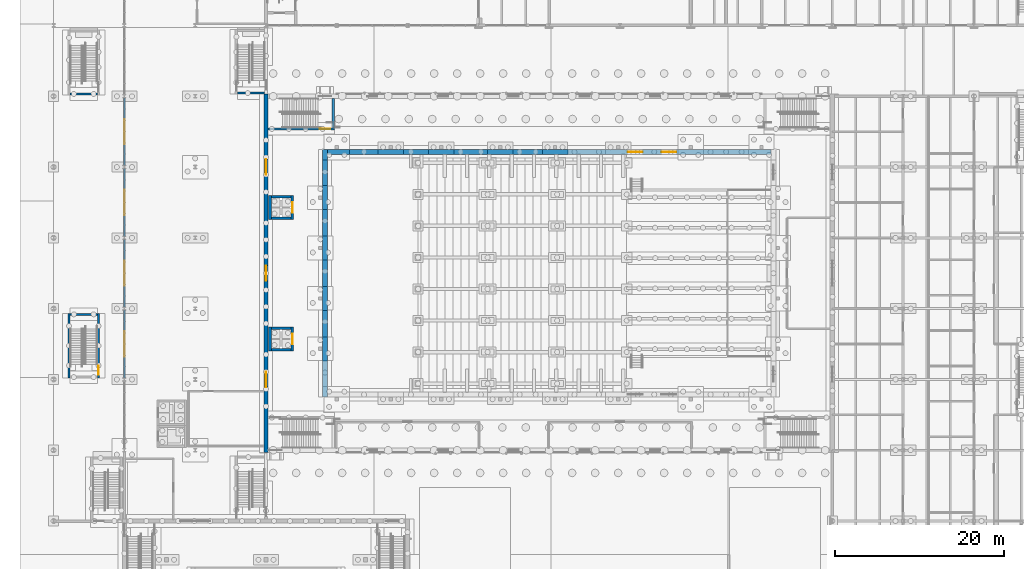
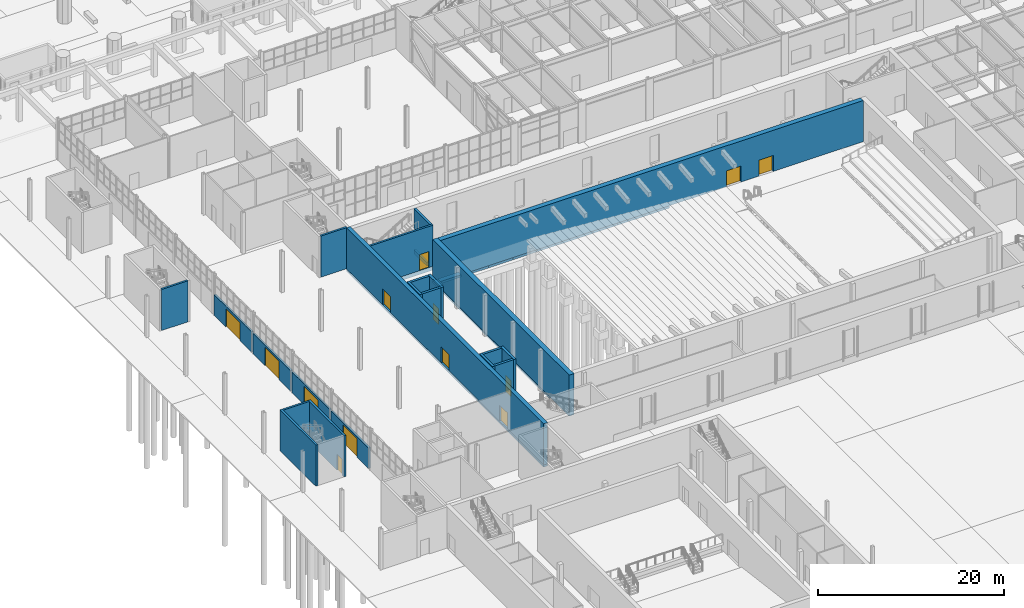
# One storey, part 64 of 127: 43 walls, 13 doors, 13 openings.
"""IFC4 building model written with IfcOpenShell, lengths in metres."""

from ifc_helpers import new_model, si_unit, direction, frame, frame_2d, origin, place, context, subcontext, project, spatial, rectangle, extrude, material, layer, layer_set, type_object, element, fill, save


model = new_model("IFC4")

# Units and contexts
model_context = context("Model", 3, precision=1e-05, world=origin(), true_north=direction((0.0, 1.0)))
body_context = subcontext(model_context, "Body", "Model", "MODEL_VIEW")
ifc_project = project(units=[si_unit("LENGTHUNIT", "METRE"), si_unit("AREAUNIT", "SQUARE_METRE"), si_unit("VOLUMEUNIT", "CUBIC_METRE"), si_unit("PLANEANGLEUNIT", "RADIAN"), si_unit("MASSUNIT", "GRAM", prefix="KILO")], contexts=[model_context])

# Site, building, storey
site_placement = place(None, origin())
site = spatial("IfcSite", under=ifc_project, at=site_placement, CompositionType="ELEMENT")
building_placement = place(site_placement, origin())
building = spatial("IfcBuilding", under=site, at=building_placement, Name="Ljudholm Concert House", CompositionType="ELEMENT")
storey_placement = place(building_placement, origin())
storey = spatial("IfcBuildingStorey", under=building, at=storey_placement, Name="L00", CompositionType="ELEMENT", Elevation=0.0)

# Walls
ifc_material_1 = material(Name="Concrete 6,500 psi", Category="concrete")
ifc_layer_1 = layer(ifc_material_1, 0.25)
ifc_layer_set_1 = layer_set([ifc_layer_1], Name="Concrete 6,500 psi")
wall_type_1 = type_object("IfcWallType", Name="RC CORE WALL 250", PredefinedType="SHEAR", material=ifc_layer_set_1)
wall_1_placement = place(storey_placement, frame((25.800048828125, 96.77490234375, 0.0), z_axis=(0.0, 0.0, 1.0), x_axis=(1.0, 0.0, 0.0)))
element("IfcWall", 1, at=wall_1_placement, inside=storey, type_object=wall_type_1, Name="Stair enclosure wall", PredefinedType="SHEAR", context=body_context, shape_type="SweptSolid", body=[
    extrude(rectangle(XDim=3.25, YDim=0.25, at=frame_2d((1.625, 0.0))), origin(), (0.0, 0.0, 1.0), 5.39990234375),
])
wall_2_placement = place(storey_placement, frame((5.824951171875, 62.949951171875, 0.0), z_axis=(0.0, 0.0, 1.0), x_axis=(0.0, 1.0, 0.0)))
element("IfcWall", 2, at=wall_2_placement, inside=storey, type_object=wall_type_1, Name="Stair enclosure wall", PredefinedType="SHEAR", context=body_context, shape_type="SweptSolid", body=[
    extrude(rectangle(XDim=7.699951171875, YDim=0.25, at=frame_2d((3.85009765625, 0.0))), origin(), (0.0, 0.0, 1.0), 5.39990234375),
])

# Wall, opening, door
wall_3_placement = place(storey_placement, frame((9.324951171875, 62.949951171875, 0.0), z_axis=(0.0, 0.0, 1.0), x_axis=(0.0, 1.0, 0.0)))
wall_3 = element("IfcWall", 3, at=wall_3_placement, inside=storey, type_object=wall_type_1, Name="Stair enclosure wall", PredefinedType="SHEAR", context=body_context, shape_type="SweptSolid", body=[
    extrude(rectangle(XDim=7.699951171875, YDim=0.25, at=frame_2d((3.85009765625, 0.0))), origin(), (0.0, 0.0, 1.0), 5.39990234375),
])
opening_1_placement = place(wall_3_placement, frame((0.39990234375, 0.0, 0.0)))
opening_1 = element("IfcOpeningElement", 4, at=opening_1_placement, cuts=wall_3, Name="Opening D-S00-018", PredefinedType="OPENING", context=body_context, shape_type="SweptSolid", body=[
    extrude(rectangle(XDim=1.10009765625, YDim=2.10009765625, at=frame_2d((0.550048828125, 1.050048828125))), frame((0.0, 0.135009765625, 0.0), z_axis=(0.0, -1.0, 0.0), x_axis=(1.0, 0.0, 0.0)), (0.0, 0.0, 1.0), 0.27001953125),
])
ifc_material_2 = material(Name="Hollow metal door in steel frame", Category="steel")
door_type_1 = type_object("IfcDoorType", Name="SWING DOOR 1100x2100 EXTERNAL", OperationType="SINGLE_SWING_LEFT", PredefinedType="DOOR", material=ifc_material_2)
door_1_placement = place(opening_1_placement, frame((1.10009765625, 0.0, 0.0), z_axis=(0.0, 0.0, 1.0), x_axis=(-1.0, 0.0, 0.0)))
door_1 = element("IfcDoor", 5, at=door_1_placement, inside=storey, type_object=door_type_1, Name="Stair exit door", OperationType="SINGLE_SWING_RIGHT", OverallHeight=2.10009765625, OverallWidth=1.10009765625, PredefinedType="DOOR", context=body_context, shape_type="SweptSolid", body=[
    extrude(rectangle(XDim=1.10009765625, YDim=2.10009765625, at=frame_2d((0.550048828125, 1.050048828125))), frame((0.0, 0.02490234375, 0.0), z_axis=(0.0, -1.0, 0.0), x_axis=(1.0, 0.0, 0.0)), (0.0, 0.0, 1.0), 0.050048828125),
])
fill(opening_1, door_1)

# Walls
for number, where, z_axis, x_axis, name in (
    (6, (5.949951171875, 70.52490234375, 0.0), (0.0, 0.0, 1.0), (1.0, 0.0, 0.0), "Stair enclosure wall"),
    (7, (5.949951171875, 96.675048828125, 0.0), (0.0, 0.0, 1.0), (1.0, 0.0, 0.0), "Stair enclosure wall"),
):
    element("IfcWall", number, at=place(storey_placement, frame(where, z_axis=z_axis, x_axis=x_axis)), inside=storey, type_object=wall_type_1, Name=name, PredefinedType="SHEAR", context=body_context, shape_type="SweptSolid", body=[
        extrude(rectangle(XDim=3.25, YDim=0.25, at=frame_2d((1.625, 0.0))), origin(), (0.0, 0.0, 1.0), 5.39990234375),
    ])

# Wall, opening, door
ifc_material_3 = material(Name="Concrete 6,500 psi", Category="concrete")
ifc_layer_2 = layer(ifc_material_3, 0.25)
ifc_layer_set_2 = layer_set([ifc_layer_2], Name="Concrete 6,500 psi")
wall_type_2 = type_object("IfcWallType", Name="RC WALL 250", PredefinedType="SOLIDWALL", material=ifc_layer_set_2)
wall_4_placement = place(storey_placement, frame((29.449951171875, 92.52490234375, 0.0), z_axis=(0.0, 0.0, 1.0), x_axis=(1.0, 0.0, 0.0)))
wall_4 = element("IfcWall", 8, at=wall_4_placement, inside=storey, type_object=wall_type_2, Name="Stair enclosure wall EH2", PredefinedType="SOLIDWALL", context=body_context, shape_type="SweptSolid", body=[
    extrude(rectangle(XDim=7.85009765625, YDim=0.25, at=frame_2d((3.925048828125, 0.0))), origin(), (0.0, 0.0, 1.0), 5.39990234375),
])
opening_2_placement = place(wall_4_placement, frame((6.14990234375, 0.0, 0.0)))
opening_2 = element("IfcOpeningElement", 9, at=opening_2_placement, cuts=wall_4, Name="Opening D-H00-008", PredefinedType="OPENING", context=body_context, shape_type="SweptSolid", body=[
    extrude(rectangle(XDim=1.199951171875, YDim=2.10009765625, at=frame_2d((0.60009765625, 1.050048828125))), frame((0.0, 0.135009765625, 0.0), z_axis=(0.0, -1.0, 0.0), x_axis=(1.0, 0.0, 0.0)), (0.0, 0.0, 1.0), 0.27001953125),
])
ifc_material_4 = material(Name="Hollow metal door in steel frame", Category="steel")
door_type_2 = type_object("IfcDoorType", Name="SWING DOOR 1200x2100", OperationType="SINGLE_SWING_LEFT", PredefinedType="DOOR", material=ifc_material_4)
door_2_placement = place(opening_2_placement, origin())
door_2 = element("IfcDoor", 10, at=door_2_placement, inside=storey, type_object=door_type_2, Name="Exit stair EH2 door", OperationType="SINGLE_SWING_RIGHT", OverallHeight=2.10009765625, OverallWidth=1.199951171875, PredefinedType="DOOR", context=body_context, shape_type="SweptSolid", body=[
    extrude(rectangle(XDim=1.199951171875, YDim=2.10009765625, at=frame_2d((0.60009765625, 1.050048828125))), frame((0.0, 0.02490234375, 0.0), z_axis=(0.0, -1.0, 0.0), x_axis=(1.0, 0.0, 0.0)), (0.0, 0.0, 1.0), 0.050048828125),
])
fill(opening_2, door_2)

# Walls
wall_5_placement = place(storey_placement, frame((37.175048828125, 92.64990234375, 0.0), z_axis=(0.0, 0.0, 1.0), x_axis=(0.0, 1.0, 0.0)))
element("IfcWall", 11, at=wall_5_placement, inside=storey, type_object=wall_type_2, Name="Stair enclosure wall EH2", PredefinedType="SOLIDWALL", context=body_context, shape_type="SweptSolid", body=[
    extrude(rectangle(XDim=3.5, YDim=0.25, at=frame_2d((1.75, 0.0))), origin(), (0.0, 0.0, 1.0), 5.39990234375),
])
wall_6_placement = place(storey_placement, frame((29.449951171875, 92.52490234375, -0.5), z_axis=(0.0, 0.0, 1.0), x_axis=(1.0, 0.0, 0.0)))
element("IfcWall", 12, at=wall_6_placement, inside=storey, type_object=wall_type_2, Name="Wall stem", PredefinedType="SOLIDWALL", context=body_context, shape_type="SweptSolid", body=[
    extrude(rectangle(XDim=7.830078125, YDim=0.25, at=frame_2d((3.9150390625, 0.0))), origin(), (0.0, 0.0, 1.0), 0.5),
])
wall_7_placement = place(storey_placement, frame((37.175048828125, 93.344970703125, -0.5), z_axis=(0.0, 0.0, 1.0), x_axis=(0.0, 1.0, 0.0)))
element("IfcWall", 13, at=wall_7_placement, inside=storey, type_object=wall_type_2, Name="Wall stem", PredefinedType="SOLIDWALL", context=body_context, shape_type="SweptSolid", body=[
    extrude(rectangle(XDim=2.804931640625, YDim=0.25, at=frame_2d((1.40234375, 0.0))), origin(), (0.0, 0.0, 1.0), 0.5),
])
ifc_material_5 = material(Name="Concrete 6,500 psi", Category="concrete")
ifc_layer_3 = layer(ifc_material_5, 0.300048828125)
ifc_layer_set_3 = layer_set([ifc_layer_3], Name="Concrete 6,500 psi")
wall_type_3 = type_object("IfcWallType", Name="RC WALL 300", PredefinedType="SOLIDWALL", material=ifc_layer_set_3)
wall_8_placement = place(storey_placement, frame((29.675048828125, 66.199951171875, 0.0), z_axis=(0.0, 0.0, 1.0), x_axis=(0.0, 1.0, 0.0)))
element("IfcWall", 14, at=wall_8_placement, inside=storey, type_object=wall_type_3, Name="Lift shaft wall", PredefinedType="SOLIDWALL", context=body_context, shape_type="SweptSolid", body=[
    extrude(rectangle(XDim=2.800048828125, YDim=0.300048828125, at=frame_2d((1.39990234375, 0.0))), origin(), (0.0, 0.0, 1.0), 5.39990234375),
])

# Wall, opening, door
wall_9_placement = place(storey_placement, frame((32.324951171875, 66.199951171875, 0.0), z_axis=(0.0, 0.0, 1.0), x_axis=(0.0, 1.0, 0.0)))
wall_9 = element("IfcWall", 15, at=wall_9_placement, inside=storey, type_object=wall_type_3, Name="Lift shaft wall", PredefinedType="SOLIDWALL", context=body_context, shape_type="SweptSolid", body=[
    extrude(rectangle(XDim=2.800048828125, YDim=0.300048828125, at=frame_2d((1.39990234375, 0.0))), origin(), (0.0, 0.0, 1.0), 5.39990234375),
])
opening_3_placement = place(wall_9_placement, frame((0.800048828125, 0.0, 0.0)))
opening_3 = element("IfcOpeningElement", 16, at=opening_3_placement, cuts=wall_9, Name="Opening LD-H00-001", PredefinedType="OPENING", context=body_context, shape_type="SweptSolid", body=[
    extrude(rectangle(XDim=1.199951171875, YDim=2.10009765625, at=frame_2d((0.60009765625, 1.050048828125))), frame((0.0, 0.159912109375, 0.0), z_axis=(0.0, -1.0, 0.0), x_axis=(1.0, 0.0, 0.0)), (0.0, 0.0, 1.0), 0.320068359375),
])
ifc_material_6 = material(Name="Stainless steel sliding landing door, fire-rated", Category="steel")
door_type_3 = type_object("IfcDoorType", Name="LIFT DOOR 1200x2100", OperationType="SLIDING_TO_LEFT", PredefinedType="DOOR", material=ifc_material_6)
door_3_placement = place(opening_3_placement, origin())
door_3 = element("IfcDoor", 17, at=door_3_placement, inside=storey, type_object=door_type_3, Name="Lift landing door", OperationType="SLIDING_TO_LEFT", OverallHeight=2.10009765625, OverallWidth=1.199951171875, PredefinedType="DOOR", context=body_context, shape_type="SweptSolid", body=[
    extrude(rectangle(XDim=1.199951171875, YDim=2.10009765625, at=frame_2d((0.60009765625, 1.050048828125))), frame((0.0, 0.02490234375, 0.0), z_axis=(0.0, -1.0, 0.0), x_axis=(1.0, 0.0, 0.0)), (0.0, 0.0, 1.0), 0.050048828125),
])
fill(opening_3, door_3)

# Walls
for number, where, z_axis, x_axis, name in (
    (18, (29.824951171875, 66.35009765625, 0.0), (0.0, 0.0, 1.0), (1.0, 0.0, 0.0), "Lift shaft wall"),
    (19, (29.824951171875, 68.85009765625, 0.0), (0.0, 0.0, 1.0), (1.0, 0.0, 0.0), "Lift shaft wall"),
):
    element("IfcWall", number, at=place(storey_placement, frame(where, z_axis=z_axis, x_axis=x_axis)), inside=storey, type_object=wall_type_3, Name=name, PredefinedType="SOLIDWALL", context=body_context, shape_type="SweptSolid", body=[
        extrude(rectangle(XDim=2.35009765625, YDim=0.300048828125, at=frame_2d((1.175048828125, 0.0))), origin(), (0.0, 0.0, 1.0), 5.39990234375),
    ])
wall_10_placement = place(storey_placement, frame((29.675048828125, 81.800048828125, 0.0), z_axis=(0.0, 0.0, 1.0), x_axis=(0.0, 1.0, 0.0)))
element("IfcWall", 20, at=wall_10_placement, inside=storey, type_object=wall_type_3, Name="Lift shaft wall", PredefinedType="SOLIDWALL", context=body_context, shape_type="SweptSolid", body=[
    extrude(rectangle(XDim=2.800048828125, YDim=0.300048828125, at=frame_2d((1.39990234375, 0.0))), origin(), (0.0, 0.0, 1.0), 5.39990234375),
])

# Wall, opening, door
wall_11_placement = place(storey_placement, frame((32.324951171875, 81.800048828125, 0.0), z_axis=(0.0, 0.0, 1.0), x_axis=(0.0, 1.0, 0.0)))
wall_11 = element("IfcWall", 21, at=wall_11_placement, inside=storey, type_object=wall_type_3, Name="Lift shaft wall", PredefinedType="SOLIDWALL", context=body_context, shape_type="SweptSolid", body=[
    extrude(rectangle(XDim=2.800048828125, YDim=0.300048828125, at=frame_2d((1.39990234375, 0.0))), origin(), (0.0, 0.0, 1.0), 5.39990234375),
])
opening_4_placement = place(wall_11_placement, frame((0.800048828125, 0.0, 0.0)))
opening_4 = element("IfcOpeningElement", 22, at=opening_4_placement, cuts=wall_11, Name="Opening LD-H00-002", PredefinedType="OPENING", context=body_context, shape_type="SweptSolid", body=[
    extrude(rectangle(XDim=1.199951171875, YDim=2.10009765625, at=frame_2d((0.60009765625, 1.050048828125))), frame((0.0, 0.159912109375, 0.0), z_axis=(0.0, -1.0, 0.0), x_axis=(1.0, 0.0, 0.0)), (0.0, 0.0, 1.0), 0.320068359375),
])
door_4_placement = place(opening_4_placement, origin())
door_4 = element("IfcDoor", 23, at=door_4_placement, inside=storey, type_object=door_type_3, Name="Lift landing door", OperationType="SLIDING_TO_LEFT", OverallHeight=2.10009765625, OverallWidth=1.199951171875, PredefinedType="DOOR", context=body_context, shape_type="SweptSolid", body=[
    extrude(rectangle(XDim=1.199951171875, YDim=2.10009765625, at=frame_2d((0.60009765625, 1.050048828125))), frame((0.0, 0.02490234375, 0.0), z_axis=(0.0, -1.0, 0.0), x_axis=(1.0, 0.0, 0.0)), (0.0, 0.0, 1.0), 0.050048828125),
])
fill(opening_4, door_4)

# Walls
for number, where, z_axis, x_axis, name in (
    (24, (29.824951171875, 81.949951171875, 0.0), (0.0, 0.0, 1.0), (1.0, 0.0, 0.0), "Lift shaft wall"),
    (25, (29.824951171875, 84.449951171875, 0.0), (0.0, 0.0, 1.0), (1.0, 0.0, 0.0), "Lift shaft wall"),
):
    element("IfcWall", number, at=place(storey_placement, frame(where, z_axis=z_axis, x_axis=x_axis)), inside=storey, type_object=wall_type_3, Name=name, PredefinedType="SOLIDWALL", context=body_context, shape_type="SweptSolid", body=[
        extrude(rectangle(XDim=2.35009765625, YDim=0.300048828125, at=frame_2d((1.175048828125, 0.0))), origin(), (0.0, 0.0, 1.0), 5.39990234375),
    ])

# Wall, openings, doors
ifc_material_7 = material(Name="Concrete 6,500 psi", Category="concrete")
ifc_layer_4 = layer(ifc_material_7, 0.5)
ifc_layer_set_4 = layer_set([ifc_layer_4], Name="Concrete 6,500 psi")
wall_type_4 = type_object("IfcWallType", Name="RC WALL 500", PredefinedType="SOLIDWALL", material=ifc_layer_set_4)
wall_12_placement = place(storey_placement, frame((29.199951171875, 54.14990234375, 0.0), z_axis=(0.0, 0.0, 1.0), x_axis=(0.0, 1.0, 0.0)))
wall_12 = element("IfcWall", 26, at=wall_12_placement, inside=storey, type_object=wall_type_4, Name="Outer wall W", PredefinedType="SOLIDWALL", context=body_context, shape_type="SweptSolid", body=[
    extrude(rectangle(XDim=42.5, YDim=0.5, at=frame_2d((21.25, 0.0))), origin(), (0.0, 0.0, 1.0), 5.39990234375),
])
opening_5_placement = place(wall_12_placement, frame((7.75, 0.0, 0.0)))
opening_5 = element("IfcOpeningElement", 27, at=opening_5_placement, cuts=wall_12, Name="Opening D-H00-014", PredefinedType="OPENING", context=body_context, shape_type="SweptSolid", body=[
    extrude(rectangle(XDim=1.800048828125, YDim=2.10009765625, at=frame_2d((0.89990234375, 1.050048828125))), frame((0.0, 0.260009765625, 0.0), z_axis=(0.0, -1.0, 0.0), x_axis=(1.0, 0.0, 0.0)), (0.0, 0.0, 1.0), 0.52001953125),
])
opening_6_placement = place(wall_12_placement, frame((20.35009765625, 0.0, 0.0)))
opening_6 = element("IfcOpeningElement", 28, at=opening_6_placement, cuts=wall_12, Name="Opening D-H00-015", PredefinedType="OPENING", context=body_context, shape_type="SweptSolid", body=[
    extrude(rectangle(XDim=1.800048828125, YDim=2.10009765625, at=frame_2d((0.89990234375, 1.050048828125))), frame((0.0, 0.260009765625, 0.0), z_axis=(0.0, -1.0, 0.0), x_axis=(1.0, 0.0, 0.0)), (0.0, 0.0, 1.0), 0.52001953125),
])
opening_7_placement = place(wall_12_placement, frame((32.949951171875, 0.0, 0.0)))
opening_7 = element("IfcOpeningElement", 29, at=opening_7_placement, cuts=wall_12, Name="Opening D-H00-016", PredefinedType="OPENING", context=body_context, shape_type="SweptSolid", body=[
    extrude(rectangle(XDim=1.800048828125, YDim=2.10009765625, at=frame_2d((0.89990234375, 1.050048828125))), frame((0.0, 0.260009765625, 0.0), z_axis=(0.0, -1.0, 0.0), x_axis=(1.0, 0.0, 0.0)), (0.0, 0.0, 1.0), 0.52001953125),
])
ifc_material_8 = material(Name="Hollow metal door in steel frame", Category="steel")
door_type_4 = type_object("IfcDoorType", Name="DOUBLE DOOR 1800x2100", OperationType="DOUBLE_DOOR_SINGLE_SWING", PredefinedType="DOOR", material=ifc_material_8)
door_5_placement = place(opening_5_placement, origin())
door_5 = element("IfcDoor", 30, at=door_5_placement, inside=storey, type_object=door_type_4, Name="Port P-HS-1 door", OperationType="DOUBLE_DOOR_SINGLE_SWING", OverallHeight=2.10009765625, OverallWidth=1.800048828125, PredefinedType="DOOR", context=body_context, shape_type="SweptSolid", body=[
    extrude(rectangle(XDim=1.800048828125, YDim=2.10009765625, at=frame_2d((0.89990234375, 1.050048828125))), frame((0.0, 0.02490234375, 0.0), z_axis=(0.0, -1.0, 0.0), x_axis=(1.0, 0.0, 0.0)), (0.0, 0.0, 1.0), 0.050048828125),
])
fill(opening_5, door_5)
door_6_placement = place(opening_6_placement, origin())
door_6 = element("IfcDoor", 31, at=door_6_placement, inside=storey, type_object=door_type_4, Name="Port P-HS-2 door", OperationType="DOUBLE_DOOR_SINGLE_SWING", OverallHeight=2.10009765625, OverallWidth=1.800048828125, PredefinedType="DOOR", context=body_context, shape_type="SweptSolid", body=[
    extrude(rectangle(XDim=1.800048828125, YDim=2.10009765625, at=frame_2d((0.89990234375, 1.050048828125))), frame((0.0, 0.02490234375, 0.0), z_axis=(0.0, -1.0, 0.0), x_axis=(1.0, 0.0, 0.0)), (0.0, 0.0, 1.0), 0.050048828125),
])
fill(opening_6, door_6)
door_7_placement = place(opening_7_placement, origin())
door_7 = element("IfcDoor", 32, at=door_7_placement, inside=storey, type_object=door_type_4, Name="Port P-HS-3 door", OperationType="DOUBLE_DOOR_SINGLE_SWING", OverallHeight=2.10009765625, OverallWidth=1.800048828125, PredefinedType="DOOR", context=body_context, shape_type="SweptSolid", body=[
    extrude(rectangle(XDim=1.800048828125, YDim=2.10009765625, at=frame_2d((0.89990234375, 1.050048828125))), frame((0.0, 0.02490234375, 0.0), z_axis=(0.0, -1.0, 0.0), x_axis=(1.0, 0.0, 0.0)), (0.0, 0.0, 1.0), 0.050048828125),
])
fill(opening_7, door_7)

# Walls
ifc_material_9 = material(Name="Concrete 6,500 psi", Category="concrete")
ifc_layer_5 = layer(ifc_material_9, 0.5)
ifc_layer_set_5 = layer_set([ifc_layer_5], Name="Concrete 6,500 psi")
wall_type_5 = type_object("IfcWallType", Name="RC WALL 500 INTERNAL", PredefinedType="SOLIDWALL", material=ifc_layer_set_5)
wall_13_placement = place(storey_placement, frame((29.199951171875, 54.169921875, -0.300048828125), z_axis=(0.0, 0.0, 1.0), x_axis=(0.0, 1.0, 0.0)))
element("IfcWall", 33, at=wall_13_placement, inside=storey, type_object=wall_type_5, Name="Wall stem", PredefinedType="SOLIDWALL", context=body_context, shape_type="SweptSolid", body=[
    extrude(rectangle(XDim=42.4599609375, YDim=0.5, at=frame_2d((21.22998046875, 0.0))), origin(), (0.0, 0.0, 1.0), 0.300048828125),
])
ifc_material_10 = material(Name="Concrete 6,500 psi", Category="concrete")
ifc_layer_6 = layer(ifc_material_10, 0.60009765625)
ifc_layer_set_6 = layer_set([ifc_layer_6], Name="Concrete 6,500 psi")
wall_type_6 = type_object("IfcWallType", Name="RC WALL 600", PredefinedType="SOLIDWALL", material=ifc_layer_set_6)
wall_14_placement = place(storey_placement, frame((36.199951171875, 60.699951171875, 0.0), z_axis=(0.0, 0.0, 1.0), x_axis=(0.0, 1.0, 0.0)))
element("IfcWall", 34, at=wall_14_placement, inside=storey, type_object=wall_type_6, Name="Inner box wall W", PredefinedType="SOLIDWALL", context=body_context, shape_type="SweptSolid", body=[
    extrude(rectangle(XDim=29.400146484375, YDim=0.60009765625, at=frame_2d((14.7001953125, 0.0))), origin(), (0.0, 0.0, 1.0), 5.39990234375),
])

# Wall, openings, doors
wall_15_placement = place(storey_placement, frame((36.5, 89.800048828125, 0.0), z_axis=(0.0, 0.0, 1.0), x_axis=(1.0, 0.0, 0.0)))
wall_15 = element("IfcWall", 35, at=wall_15_placement, inside=storey, type_object=wall_type_6, Name="Inner box wall N", PredefinedType="SOLIDWALL", context=body_context, shape_type="SweptSolid", body=[
    extrude(rectangle(XDim=52.60009765625, YDim=0.60009765625, at=frame_2d((26.300048828125, 0.0))), origin(), (0.0, 0.0, 1.0), 5.39990234375),
])
opening_8_placement = place(wall_15_placement, frame((35.60009765625, 0.0, 0.0)))
opening_8 = element("IfcOpeningElement", 36, at=opening_8_placement, cuts=wall_15, Name="Opening D-H00-022", PredefinedType="OPENING", context=body_context, shape_type="SweptSolid", body=[
    extrude(rectangle(XDim=1.800048828125, YDim=2.10009765625, at=frame_2d((0.89990234375, 1.050048828125))), frame((0.0, 0.31005859375, 0.0), z_axis=(0.0, -1.0, 0.0), x_axis=(1.0, 0.0, 0.0)), (0.0, 0.0, 1.0), 0.6201171875),
])
opening_9_placement = place(wall_15_placement, frame((39.60009765625, 0.0, 0.0)))
opening_9 = element("IfcOpeningElement", 37, at=opening_9_placement, cuts=wall_15, Name="Opening D-H00-023", PredefinedType="OPENING", context=body_context, shape_type="SweptSolid", body=[
    extrude(rectangle(XDim=1.800048828125, YDim=2.10009765625, at=frame_2d((0.89990234375, 1.050048828125))), frame((0.0, 0.31005859375, 0.0), z_axis=(0.0, -1.0, 0.0), x_axis=(1.0, 0.0, 0.0)), (0.0, 0.0, 1.0), 0.6201171875),
])
door_8_placement = place(opening_8_placement, frame((1.800048828125, 0.0, 0.0), z_axis=(0.0, 0.0, 1.0), x_axis=(-1.0, 0.0, 0.0)))
door_8 = element("IfcDoor", 38, at=door_8_placement, inside=storey, type_object=door_type_4, Name="Hall door", OperationType="DOUBLE_DOOR_SINGLE_SWING", OverallHeight=2.10009765625, OverallWidth=1.800048828125, PredefinedType="DOOR", context=body_context, shape_type="SweptSolid", body=[
    extrude(rectangle(XDim=1.800048828125, YDim=2.10009765625, at=frame_2d((0.89990234375, 1.050048828125))), frame((0.0, 0.02490234375, 0.0), z_axis=(0.0, -1.0, 0.0), x_axis=(1.0, 0.0, 0.0)), (0.0, 0.0, 1.0), 0.050048828125),
])
fill(opening_8, door_8)
door_9_placement = place(opening_9_placement, frame((1.800048828125, 0.0, 0.0), z_axis=(0.0, 0.0, 1.0), x_axis=(-1.0, 0.0, 0.0)))
door_9 = element("IfcDoor", 39, at=door_9_placement, inside=storey, type_object=door_type_4, Name="Hall door", OperationType="DOUBLE_DOOR_SINGLE_SWING", OverallHeight=2.10009765625, OverallWidth=1.800048828125, PredefinedType="DOOR", context=body_context, shape_type="SweptSolid", body=[
    extrude(rectangle(XDim=1.800048828125, YDim=2.10009765625, at=frame_2d((0.89990234375, 1.050048828125))), frame((0.0, 0.02490234375, 0.0), z_axis=(0.0, -1.0, 0.0), x_axis=(1.0, 0.0, 0.0)), (0.0, 0.0, 1.0), 0.050048828125),
])
fill(opening_9, door_9)

# Walls
for number, where, z_axis, x_axis, name in (
    (40, (36.199951171875, 65.010009765625, -0.300048828125), (0.0, 0.0, 1.0), (0.0, 1.0, 0.0), "Wall stem"),
    (41, (36.199951171875, 70.989990234375, -0.300048828125), (0.0, 0.0, 1.0), (0.0, 1.0, 0.0), "Wall stem"),
    (42, (36.199951171875, 76.969970703125, -0.300048828125), (0.0, 0.0, 1.0), (0.0, 1.0, 0.0), "Wall stem"),
    (43, (36.199951171875, 82.949951171875, -0.300048828125), (0.0, 0.0, 1.0), (0.0, 1.0, 0.0), "Wall stem"),
):
    element("IfcWall", number, at=place(storey_placement, frame(where, z_axis=z_axis, x_axis=x_axis)), inside=storey, type_object=wall_type_6, Name=name, PredefinedType="SOLIDWALL", context=body_context, shape_type="SweptSolid", body=[
        extrude(rectangle(XDim=2.840087890625, YDim=0.60009765625, at=frame_2d((1.419921875, 0.0))), origin(), (0.0, 0.0, 1.0), 0.300048828125),
    ])
wall_16_placement = place(storey_placement, frame((36.199951171875, 88.830078125, -0.300048828125), z_axis=(0.0, 0.0, 1.0), x_axis=(0.0, 1.0, 0.0)))
element("IfcWall", 44, at=wall_16_placement, inside=storey, type_object=wall_type_6, Name="Wall stem", PredefinedType="SOLIDWALL", context=body_context, shape_type="SweptSolid", body=[
    extrude(rectangle(XDim=1.27001953125, YDim=0.60009765625, at=frame_2d((0.635009765625, 0.0))), origin(), (0.0, 0.0, 1.0), 0.300048828125),
])
wall_17_placement = place(storey_placement, frame((36.199951171875, 85.7900390625, -0.300048828125), z_axis=(0.0, 0.0, 1.0), x_axis=(0.0, 1.0, 0.0)))
element("IfcWall", 45, at=wall_17_placement, inside=storey, type_object=wall_type_6, Name="Wall stem", PredefinedType="SOLIDWALL", context=body_context, shape_type="SweptSolid", body=[
    extrude(rectangle(XDim=3.0400390625, YDim=0.60009765625, at=frame_2d((1.52001953125, 0.0))), origin(), (0.0, 0.0, 1.0), 0.300048828125),
])
for number, where, z_axis, x_axis, name in (
    (46, (36.199951171875, 67.85009765625, -0.300048828125), (0.0, 0.0, 1.0), (0.0, 1.0, 0.0), "Wall stem"),
    (47, (36.199951171875, 73.830078125, -0.300048828125), (0.0, 0.0, 1.0), (0.0, 1.0, 0.0), "Wall stem"),
    (48, (36.199951171875, 79.81005859375, -0.300048828125), (0.0, 0.0, 1.0), (0.0, 1.0, 0.0), "Wall stem"),
):
    element("IfcWall", number, at=place(storey_placement, frame(where, z_axis=z_axis, x_axis=x_axis)), inside=storey, type_object=wall_type_6, Name=name, PredefinedType="SOLIDWALL", context=body_context, shape_type="SweptSolid", body=[
        extrude(rectangle(XDim=3.139892578125, YDim=0.60009765625, at=frame_2d((1.56982421875, 0.0))), origin(), (0.0, 0.0, 1.0), 0.300048828125),
    ])
wall_18_placement = place(storey_placement, frame((36.5, 89.800048828125, -0.300048828125), z_axis=(0.0, 0.0, 1.0), x_axis=(1.0, 0.0, 0.0)))
element("IfcWall", 49, at=wall_18_placement, inside=storey, type_object=wall_type_6, Name="Wall stem", PredefinedType="SOLIDWALL", context=body_context, shape_type="SweptSolid", body=[
    extrude(rectangle(XDim=2.6201171875, YDim=0.60009765625, at=frame_2d((1.31005859375, 0.0))), origin(), (0.0, 0.0, 1.0), 0.300048828125),
])
for number, where, z_axis, x_axis, name in (
    (50, (42.47998046875, 89.800048828125, -0.300048828125), (0.0, 0.0, 1.0), (1.0, 0.0, 0.0), "Wall stem"),
    (51, (48.47998046875, 89.800048828125, -0.300048828125), (0.0, 0.0, 1.0), (1.0, 0.0, 0.0), "Wall stem"),
    (52, (55.47998046875, 89.800048828125, -0.300048828125), (0.0, 0.0, 1.0), (1.0, 0.0, 0.0), "Wall stem"),
    (53, (61.97998046875, 89.800048828125, -0.300048828125), (0.0, 0.0, 1.0), (1.0, 0.0, 0.0), "Wall stem"),
):
    element("IfcWall", number, at=place(storey_placement, frame(where, z_axis=z_axis, x_axis=x_axis)), inside=storey, type_object=wall_type_6, Name=name, PredefinedType="SOLIDWALL", context=body_context, shape_type="SweptSolid", body=[
        extrude(rectangle(XDim=3.0400390625, YDim=0.60009765625, at=frame_2d((1.52001953125, 0.0))), origin(), (0.0, 0.0, 1.0), 0.300048828125),
    ])
wall_19_placement = place(storey_placement, frame((39.1201171875, 89.800048828125, -0.300048828125), z_axis=(0.0, 0.0, 1.0), x_axis=(1.0, 0.0, 0.0)))
element("IfcWall", 54, at=wall_19_placement, inside=storey, type_object=wall_type_6, Name="Wall stem", PredefinedType="SOLIDWALL", context=body_context, shape_type="SweptSolid", body=[
    extrude(rectangle(XDim=3.35986328125, YDim=0.60009765625, at=frame_2d((1.679931640625, 0.0))), origin(), (0.0, 0.0, 1.0), 0.300048828125),
])
wall_20_placement = place(storey_placement, frame((45.52001953125, 89.800048828125, -0.300048828125), z_axis=(0.0, 0.0, 1.0), x_axis=(1.0, 0.0, 0.0)))
element("IfcWall", 55, at=wall_20_placement, inside=storey, type_object=wall_type_6, Name="Wall stem", PredefinedType="SOLIDWALL", context=body_context, shape_type="SweptSolid", body=[
    extrude(rectangle(XDim=2.9599609375, YDim=0.60009765625, at=frame_2d((1.47998046875, 0.0))), origin(), (0.0, 0.0, 1.0), 0.300048828125),
])
wall_21_placement = place(storey_placement, frame((51.52001953125, 89.800048828125, -0.300048828125), z_axis=(0.0, 0.0, 1.0), x_axis=(1.0, 0.0, 0.0)))
element("IfcWall", 56, at=wall_21_placement, inside=storey, type_object=wall_type_6, Name="Wall stem", PredefinedType="SOLIDWALL", context=body_context, shape_type="SweptSolid", body=[
    extrude(rectangle(XDim=3.9599609375, YDim=0.60009765625, at=frame_2d((1.97998046875, 0.0))), origin(), (0.0, 0.0, 1.0), 0.300048828125),
])
wall_22_placement = place(storey_placement, frame((58.52001953125, 89.800048828125, -0.300048828125), z_axis=(0.0, 0.0, 1.0), x_axis=(1.0, 0.0, 0.0)))
element("IfcWall", 57, at=wall_22_placement, inside=storey, type_object=wall_type_6, Name="Wall stem", PredefinedType="SOLIDWALL", context=body_context, shape_type="SweptSolid", body=[
    extrude(rectangle(XDim=3.4599609375, YDim=0.60009765625, at=frame_2d((1.72998046875, 0.0))), origin(), (0.0, 0.0, 1.0), 0.300048828125),
])

# Wall, opening, door
ifc_material_11 = material(Name="Aluminium cladding with timber-grain PVDF finish", Category="aluminium")
ifc_layer_7 = layer(ifc_material_11, 0.25)
ifc_layer_set_7 = layer_set([ifc_layer_7], Name="Aluminium cladding with timber-grain PVDF finish")
wall_type_7 = type_object("IfcWallType", Name="TIMBER-GRAIN ALUMINIUM CLAD WALL 250", PredefinedType="SOLIDWALL", material=ifc_layer_set_7)
wall_23_placement = place(storey_placement, frame((12.39990234375, 62.986572265625, 0.0), z_axis=(0.0, 0.0, 1.0), x_axis=(0.0, 1.0, 0.0)))
wall_23 = element("IfcWall", 58, at=wall_23_placement, inside=storey, type_object=wall_type_7, Name="Entrance wall", PredefinedType="SOLIDWALL", context=body_context, shape_type="SweptSolid", body=[
    extrude(rectangle(XDim=8.02685546875, YDim=0.25, at=frame_2d((4.013427734375, 0.0))), origin(), (0.0, 0.0, 1.0), 2.699951171875),
])
opening_10_placement = place(wall_23_placement, frame((2.513427734375, 0.0, 0.0)))
opening_10 = element("IfcOpeningElement", 59, at=opening_10_placement, cuts=wall_23, Name="Opening D-S00-002", PredefinedType="OPENING", context=body_context, shape_type="SweptSolid", body=[
    extrude(rectangle(XDim=3.0, YDim=2.39990234375, at=frame_2d((1.5, 1.199951171875))), frame((0.0, 0.135009765625, 0.0), z_axis=(0.0, -1.0, 0.0), x_axis=(1.0, 0.0, 0.0)), (0.0, 0.0, 1.0), 0.27001953125),
])
ifc_material_12 = material(Name="Aluminium frame with impact-rated laminated glass", Category="aluminium")
door_type_5 = type_object("IfcDoorType", Name="GLAZED ENTRANCE DOOR PAIR 3000x2400", OperationType="DOUBLE_DOOR_SINGLE_SWING", PredefinedType="DOOR", material=ifc_material_12)
door_10_placement = place(opening_10_placement, origin())
door_10 = element("IfcDoor", 60, at=door_10_placement, inside=storey, type_object=door_type_5, Name="Entrance door pair", OperationType="DOUBLE_DOOR_SINGLE_SWING", OverallHeight=2.39990234375, OverallWidth=3.0, PredefinedType="DOOR", context=body_context, shape_type="SweptSolid", body=[
    extrude(rectangle(XDim=3.0, YDim=2.39990234375, at=frame_2d((1.5, 1.199951171875))), frame((0.0, 0.02490234375, 0.0), z_axis=(0.0, -1.0, 0.0), x_axis=(1.0, 0.0, 0.0)), (0.0, 0.0, 1.0), 0.050048828125),
])
fill(opening_10, door_10)

wall_24_placement = place(storey_placement, frame((12.39990234375, 71.38671875, 0.0), z_axis=(0.0, 0.0, 1.0), x_axis=(0.0, 1.0, 0.0)))
wall_24 = element("IfcWall", 61, at=wall_24_placement, inside=storey, type_object=wall_type_7, Name="Entrance wall", PredefinedType="SOLIDWALL", context=body_context, shape_type="SweptSolid", body=[
    extrude(rectangle(XDim=8.026611328125, YDim=0.25, at=frame_2d((4.01318359375, 0.0))), origin(), (0.0, 0.0, 1.0), 2.699951171875),
])
opening_11_placement = place(wall_24_placement, frame((2.513427734375, 0.0, 0.0)))
opening_11 = element("IfcOpeningElement", 62, at=opening_11_placement, cuts=wall_24, Name="Opening D-S00-003", PredefinedType="OPENING", context=body_context, shape_type="SweptSolid", body=[
    extrude(rectangle(XDim=3.0, YDim=2.39990234375, at=frame_2d((1.5, 1.199951171875))), frame((0.0, 0.135009765625, 0.0), z_axis=(0.0, -1.0, 0.0), x_axis=(1.0, 0.0, 0.0)), (0.0, 0.0, 1.0), 0.27001953125),
])
door_11_placement = place(opening_11_placement, origin())
door_11 = element("IfcDoor", 63, at=door_11_placement, inside=storey, type_object=door_type_5, Name="Entrance door pair", OperationType="DOUBLE_DOOR_SINGLE_SWING", OverallHeight=2.39990234375, OverallWidth=3.0, PredefinedType="DOOR", context=body_context, shape_type="SweptSolid", body=[
    extrude(rectangle(XDim=3.0, YDim=2.39990234375, at=frame_2d((1.5, 1.199951171875))), frame((0.0, 0.02490234375, 0.0), z_axis=(0.0, -1.0, 0.0), x_axis=(1.0, 0.0, 0.0)), (0.0, 0.0, 1.0), 0.050048828125),
])
fill(opening_11, door_11)

wall_25_placement = place(storey_placement, frame((12.39990234375, 79.78662109375, 0.0), z_axis=(0.0, 0.0, 1.0), x_axis=(0.0, 1.0, 0.0)))
wall_25 = element("IfcWall", 64, at=wall_25_placement, inside=storey, type_object=wall_type_7, Name="Entrance wall", PredefinedType="SOLIDWALL", context=body_context, shape_type="SweptSolid", body=[
    extrude(rectangle(XDim=8.026611328125, YDim=0.25, at=frame_2d((4.01318359375, 0.0))), origin(), (0.0, 0.0, 1.0), 2.699951171875),
])
opening_12_placement = place(wall_25_placement, frame((2.513427734375, 0.0, 0.0)))
opening_12 = element("IfcOpeningElement", 65, at=opening_12_placement, cuts=wall_25, Name="Opening D-S00-004", PredefinedType="OPENING", context=body_context, shape_type="SweptSolid", body=[
    extrude(rectangle(XDim=3.0, YDim=2.39990234375, at=frame_2d((1.5, 1.199951171875))), frame((0.0, 0.135009765625, 0.0), z_axis=(0.0, -1.0, 0.0), x_axis=(1.0, 0.0, 0.0)), (0.0, 0.0, 1.0), 0.27001953125),
])
door_12_placement = place(opening_12_placement, origin())
door_12 = element("IfcDoor", 66, at=door_12_placement, inside=storey, type_object=door_type_5, Name="Entrance door pair", OperationType="DOUBLE_DOOR_SINGLE_SWING", OverallHeight=2.39990234375, OverallWidth=3.0, PredefinedType="DOOR", context=body_context, shape_type="SweptSolid", body=[
    extrude(rectangle(XDim=3.0, YDim=2.39990234375, at=frame_2d((1.5, 1.199951171875))), frame((0.0, 0.02490234375, 0.0), z_axis=(0.0, -1.0, 0.0), x_axis=(1.0, 0.0, 0.0)), (0.0, 0.0, 1.0), 0.050048828125),
])
fill(opening_12, door_12)

wall_26_placement = place(storey_placement, frame((12.39990234375, 88.186767578125, 0.0), z_axis=(0.0, 0.0, 1.0), x_axis=(0.0, 1.0, 0.0)))
wall_26 = element("IfcWall", 67, at=wall_26_placement, inside=storey, type_object=wall_type_7, Name="Entrance wall", PredefinedType="SOLIDWALL", context=body_context, shape_type="SweptSolid", body=[
    extrude(rectangle(XDim=8.026611328125, YDim=0.25, at=frame_2d((4.01318359375, 0.0))), origin(), (0.0, 0.0, 1.0), 2.699951171875),
])
opening_13_placement = place(wall_26_placement, frame((2.513427734375, 0.0, 0.0)))
opening_13 = element("IfcOpeningElement", 68, at=opening_13_placement, cuts=wall_26, Name="Opening D-S00-005", PredefinedType="OPENING", context=body_context, shape_type="SweptSolid", body=[
    extrude(rectangle(XDim=3.0, YDim=2.39990234375, at=frame_2d((1.5, 1.199951171875))), frame((0.0, 0.135009765625, 0.0), z_axis=(0.0, -1.0, 0.0), x_axis=(1.0, 0.0, 0.0)), (0.0, 0.0, 1.0), 0.27001953125),
])
door_13_placement = place(opening_13_placement, origin())
door_13 = element("IfcDoor", 69, at=door_13_placement, inside=storey, type_object=door_type_5, Name="Entrance door pair", OperationType="DOUBLE_DOOR_SINGLE_SWING", OverallHeight=2.39990234375, OverallWidth=3.0, PredefinedType="DOOR", context=body_context, shape_type="SweptSolid", body=[
    extrude(rectangle(XDim=3.0, YDim=2.39990234375, at=frame_2d((1.5, 1.199951171875))), frame((0.0, 0.02490234375, 0.0), z_axis=(0.0, -1.0, 0.0), x_axis=(1.0, 0.0, 0.0)), (0.0, 0.0, 1.0), 0.050048828125),
])
fill(opening_13, door_13)

save(model, "model.ifc")
